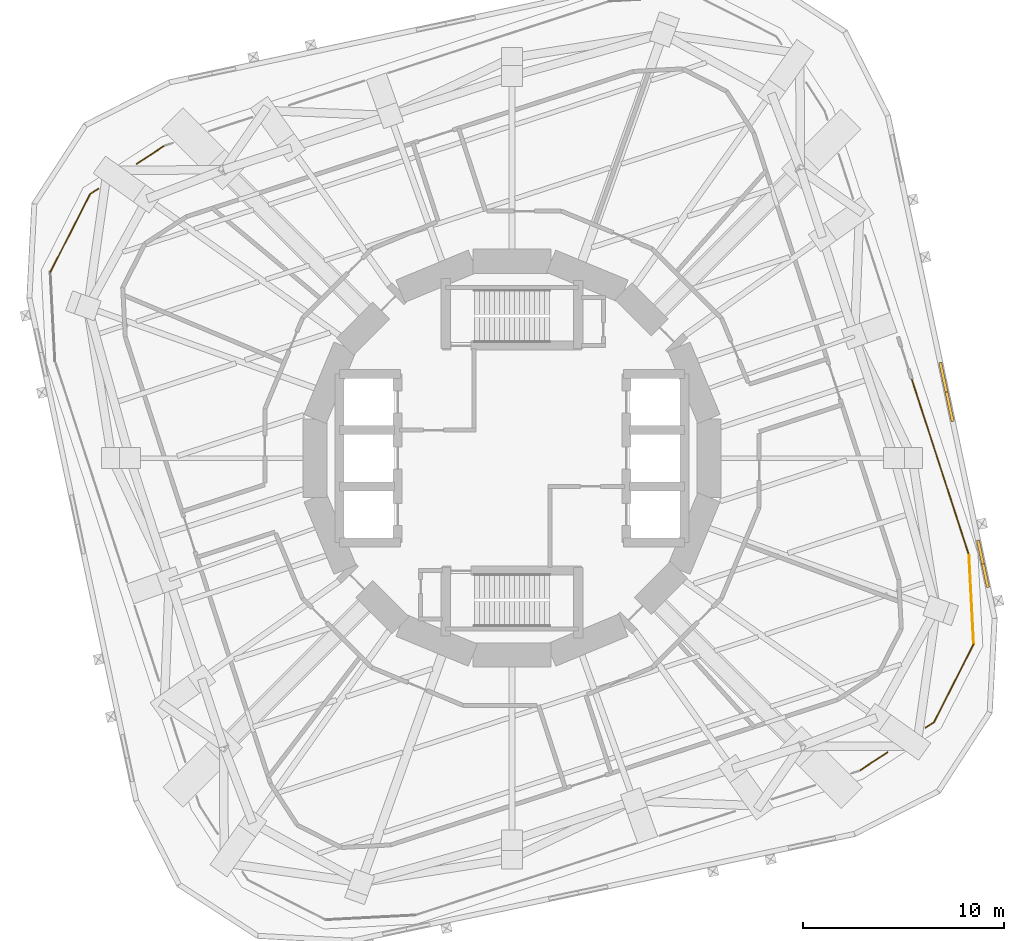
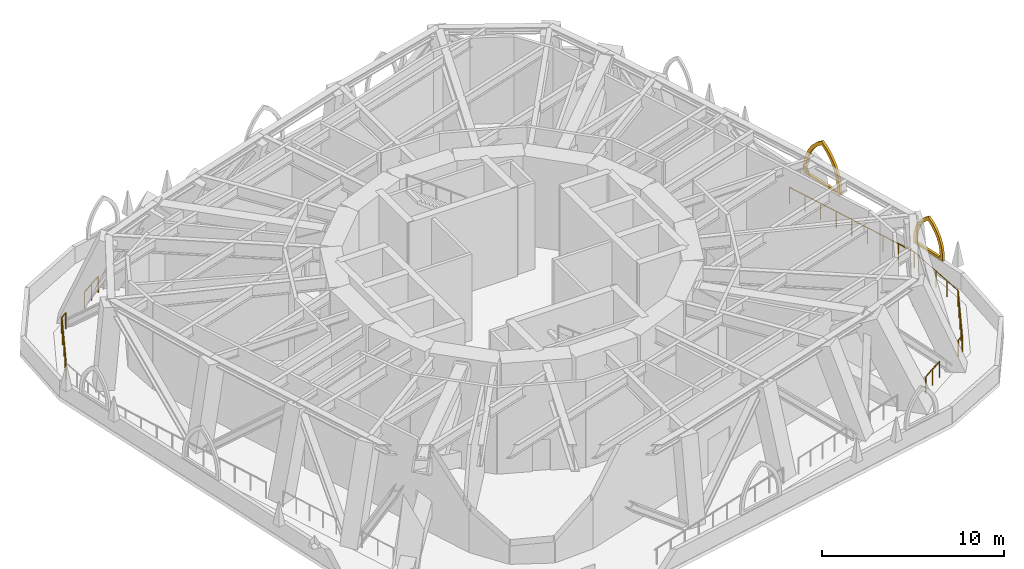
# One storey, part 9 of 11: 8 railings, 2 shading devices.
"""IFC4 building model written with IfcOpenShell, lengths in metres."""

from ifc_helpers import new_model, si_unit, direction, frame, origin, origin_2d, place, context, subcontext, project, spatial, polyline, circle, outline, extrude, material, type_object, element, save


model = new_model("IFC4")

# Units and contexts
model_context = context("Model", 3, precision=1e-05, world=origin(), true_north=direction((0.0, 1.0)))
body_context = subcontext(model_context, "Body", "Model", "MODEL_VIEW")
ifc_project = project(units=[si_unit("LENGTHUNIT", "METRE"), si_unit("AREAUNIT", "SQUARE_METRE"), si_unit("VOLUMEUNIT", "CUBIC_METRE"), si_unit("PLANEANGLEUNIT", "RADIAN"), si_unit("MASSUNIT", "GRAM", prefix="KILO")], contexts=[model_context])

# Site, building, storey
site_placement = place(None, origin())
site = spatial("IfcSite", under=ifc_project, at=site_placement, CompositionType="ELEMENT")
building_placement = place(site_placement, origin())
building = spatial("IfcBuilding", under=site, at=building_placement, Name="Nakasero Lantern House", CompositionType="ELEMENT")
storey_placement = place(building_placement, frame((0.0, 0.0, 135.800048828125)))
storey = spatial("IfcBuildingStorey", under=building, at=storey_placement, Name="L33", CompositionType="ELEMENT", Elevation=135.800048828125)

# Shading devices
ifc_material_1 = material(Name="Aluminium 6063-T6", Category="aluminium")
shading_device_type_1 = type_object("IfcShadingDeviceType", Name="Lancet screen 2400", PredefinedType="USERDEFINED", material=ifc_material_1)
shading_device_1_placement = place(storey_placement, frame((23.45654296875, -5.26220703125, 1.099853515625), z_axis=(0.0, 0.0, 1.0), x_axis=(-0.207911691, 0.978147601, 0.0)))
element("IfcShadingDevice", 1, at=shading_device_1_placement, inside=storey, type_object=shading_device_type_1, Name="Tracery screen L33 0-00", ObjectType="LANCET SCREEN", PredefinedType="USERDEFINED", context=body_context, shape_type="SweptSolid", body=[
    extrude(outline(polyline([(-1.199951171875, 0.0), (1.199951171875, 0.0), (1.199951171875, 0.300048828125), (1.16357421875, 0.716796875), (1.05517578125, 1.120849609375), (0.87841796875, 1.5), (0.638427734375, 1.8427734375), (0.3427734375, 2.138427734375), (0.0, 2.37841796875), (-0.3427734375, 2.138427734375), (-0.638427734375, 1.8427734375), (-0.87841796875, 1.5), (-1.05517578125, 1.120849609375), (-1.16357421875, 0.716796875), (-1.199951171875, 0.300048828125), (-1.199951171875, 0.0)]), holes=[polyline([(-0.97998046875, 0.14990234375), (0.97998046875, 0.14990234375), (0.97998046875, 0.300048828125), (0.950439453125, 0.6572265625), (0.86279296875, 1.0048828125), (0.719482421875, 1.33349609375), (0.524169921875, 1.63427734375), (0.281982421875, 1.898681640625), (0.0, 2.1201171875), (-0.281982421875, 1.898681640625), (-0.524169921875, 1.63427734375), (-0.719482421875, 1.33349609375), (-0.86279296875, 1.0048828125), (-0.950439453125, 0.6572265625), (-0.97998046875, 0.300048828125), (-0.97998046875, 0.14990234375)])]), frame((0.0, 0.074951171875, 0.0), z_axis=(0.0, -1.0, 0.0), x_axis=(1.0, 0.0, 0.0)), (0.0, 0.0, 1.0), 0.14990234375),
])
ifc_material_2 = material(Name="Aluminium 6063-T6", Category="aluminium")
shading_device_type_2 = type_object("IfcShadingDeviceType", Name="Lancet screen 3000", PredefinedType="USERDEFINED", material=ifc_material_2)
shading_device_2_placement = place(storey_placement, frame((21.63720703125, 3.2978515625, 1.099853515625), z_axis=(0.0, 0.0, 1.0), x_axis=(-0.207911691, 0.978147601, 0.0)))
element("IfcShadingDevice", 2, at=shading_device_2_placement, inside=storey, type_object=shading_device_type_2, Name="Tracery screen L33 0-01", ObjectType="LANCET SCREEN", PredefinedType="USERDEFINED", context=body_context, shape_type="SweptSolid", body=[
    extrude(outline(polyline([(-1.5, 0.0), (1.5, 0.0), (1.5, 0.300048828125), (1.454345703125, 0.821044921875), (1.319091796875, 1.326171875), (1.09814453125, 1.800048828125), (0.798095703125, 2.228271484375), (0.428466796875, 2.59814453125), (0.0, 2.898193359375), (-0.428466796875, 2.59814453125), (-0.798095703125, 2.228271484375), (-1.09814453125, 1.800048828125), (-1.319091796875, 1.326171875), (-1.454345703125, 0.821044921875), (-1.5, 0.300048828125), (-1.5, 0.0)]), holes=[polyline([(-1.280029296875, 0.14990234375), (1.280029296875, 0.14990234375), (1.280029296875, 0.300048828125), (1.241455078125, 0.761474609375), (1.126708984375, 1.21044921875), (0.939208984375, 1.6337890625), (0.683837890625, 2.020263671875), (0.367919921875, 2.359130859375), (0.0, 2.640625), (-0.367919921875, 2.359130859375), (-0.683837890625, 2.020263671875), (-0.939208984375, 1.6337890625), (-1.126708984375, 1.21044921875), (-1.241455078125, 0.761474609375), (-1.280029296875, 0.300048828125), (-1.280029296875, 0.14990234375)])]), frame((0.0, 0.074951171875, 0.0), z_axis=(0.0, -1.0, 0.0), x_axis=(1.0, 0.0, 0.0)), (0.0, 0.0, 1.0), 0.14990234375),
])

# Railings
ifc_material_3 = material(Name="Aluminium 6063-T6", Category="aluminium")
railing_type = type_object("IfcRailingType", Name="Sky garden guard 1100", PredefinedType="GUARDRAIL", material=ifc_material_3)
railing_1_placement = place(storey_placement, frame((-22.99267578125, 9.265380859375, 0.0)))
element("IfcRailing", 3, at=railing_1_placement, inside=storey, type_object=railing_type, Name="Refuge area guard L33 1", PredefinedType="GUARDRAIL", context=body_context, shape_type="SweptSolid", body=[
    extrude(circle(Radius=0.02392578125, at=origin_2d()), frame((0.0, 0.0, 1.076171875), z_axis=(0.453978557645, 0.891012608889, 0.0), x_axis=(-0.891012608889, 0.453978557645, 0.0)), (0.0, 0.0, 1.0), 4.36572265625),
    extrude(circle(Radius=0.02099609375, at=origin_2d()), origin(), (0.0, 0.0, 1.0), 1.052001953125),
    extrude(circle(Radius=0.02099609375, at=origin_2d()), frame((0.49560546875, 0.972412109375, 0.0)), (0.0, 0.0, 1.0), 1.052001953125),
    extrude(circle(Radius=0.02099609375, at=origin_2d()), frame((0.990966796875, 1.94482421875, 0.0)), (0.0, 0.0, 1.0), 1.052001953125),
    extrude(circle(Radius=0.02099609375, at=origin_2d()), frame((1.486328125, 2.91748046875, 0.0)), (0.0, 0.0, 1.0), 1.052001953125),
    extrude(circle(Radius=0.02099609375, at=origin_2d()), frame((1.98193359375, 3.889892578125, 0.0)), (0.0, 0.0, 1.0), 1.052001953125),
])
railing_2_placement = place(storey_placement, frame((-21.0107421875, 13.1552734375, 0.0)))
element("IfcRailing", 4, at=railing_2_placement, inside=storey, type_object=railing_type, Name="Refuge area guard L33 3", PredefinedType="GUARDRAIL", context=body_context, shape_type="SweptSolid", body=[
    extrude(circle(Radius=0.02392578125, at=origin_2d()), frame((0.0, 0.0, 1.076171875), z_axis=(0.83861515616, 0.54472435218, 0.0), x_axis=(-0.54472435218, 0.83861515616, 0.0)), (0.0, 0.0, 1.0), 0.487548828125),
    extrude(circle(Radius=0.02099609375, at=origin_2d()), origin(), (0.0, 0.0, 1.0), 1.052001953125),
    extrude(circle(Radius=0.02099609375, at=origin_2d()), frame((0.408935546875, 0.265625, 0.0)), (0.0, 0.0, 1.0), 1.052001953125),
])
railing_3_placement = place(storey_placement, frame((-18.704345703125, 14.653076171875, 0.0)))
element("IfcRailing", 5, at=railing_3_placement, inside=storey, type_object=railing_type, Name="Refuge area guard L33 5", PredefinedType="GUARDRAIL", context=body_context, shape_type="SweptSolid", body=[
    extrude(circle(Radius=0.02392578125, at=origin_2d()), frame((0.0, 0.0, 1.076171875), z_axis=(0.838663025436, 0.544650649285, 0.0), x_axis=(-0.544650649285, 0.838663025436, 0.0)), (0.0, 0.0, 1.0), 1.67724609375),
    extrude(circle(Radius=0.02099609375, at=origin_2d()), origin(), (0.0, 0.0, 1.0), 1.052001953125),
    extrude(circle(Radius=0.02099609375, at=origin_2d()), frame((0.703369140625, 0.456787109375, 0.0)), (0.0, 0.0, 1.0), 1.052001953125),
    extrude(circle(Radius=0.02099609375, at=origin_2d()), frame((1.40673828125, 0.91357421875, 0.0)), (0.0, 0.0, 1.0), 1.052001953125),
])
railing_4_placement = place(storey_placement, frame((18.704345703125, -14.653076171875, 0.0)))
element("IfcRailing", 6, at=railing_4_placement, inside=storey, type_object=railing_type, Name="Refuge area guard L33 28", PredefinedType="GUARDRAIL", context=body_context, shape_type="SweptSolid", body=[
    extrude(circle(Radius=0.02392578125, at=origin_2d()), frame((0.0, 0.0, 1.076171875), z_axis=(-0.838663025436, -0.544650649285, 0.0), x_axis=(0.544650649285, -0.838663025436, 0.0)), (0.0, 0.0, 1.0), 1.67724609375),
    extrude(circle(Radius=0.02099609375, at=origin_2d()), origin(), (0.0, 0.0, 1.0), 1.052001953125),
    extrude(circle(Radius=0.02099609375, at=origin_2d()), frame((-0.703369140625, -0.456787109375, 0.0)), (0.0, 0.0, 1.0), 1.052001953125),
    extrude(circle(Radius=0.02099609375, at=origin_2d()), frame((-1.40673828125, -0.91357421875, 0.0)), (0.0, 0.0, 1.0), 1.052001953125),
])
railing_5_placement = place(storey_placement, frame((19.905517578125, 3.944091796875, 0.0)))
element("IfcRailing", 7, at=railing_5_placement, inside=storey, type_object=railing_type, Name="Refuge area guard L33 30", PredefinedType="GUARDRAIL", context=body_context, shape_type="SweptSolid", body=[
    extrude(circle(Radius=0.02392578125, at=origin_2d()), frame((0.0, 0.0, 1.076171875), z_axis=(0.309013784807, -0.951057559141, 0.0), x_axis=(0.951057559141, 0.309013784807, 0.0)), (0.0, 0.0, 1.0), 9.240478515625),
    extrude(circle(Radius=0.02099609375, at=origin_2d()), origin(), (0.0, 0.0, 1.0), 1.052001953125),
    extrude(circle(Radius=0.02099609375, at=origin_2d()), frame((0.35693359375, -1.0986328125, 0.0)), (0.0, 0.0, 1.0), 1.052001953125),
    extrude(circle(Radius=0.02099609375, at=origin_2d()), frame((0.7138671875, -2.197021484375, 0.0)), (0.0, 0.0, 1.0), 1.052001953125),
    extrude(circle(Radius=0.02099609375, at=origin_2d()), frame((1.07080078125, -3.295654296875, 0.0)), (0.0, 0.0, 1.0), 1.052001953125),
    extrude(circle(Radius=0.02099609375, at=origin_2d()), frame((1.427734375, -4.39404296875, 0.0)), (0.0, 0.0, 1.0), 1.052001953125),
    extrude(circle(Radius=0.02099609375, at=origin_2d()), frame((1.78466796875, -5.49267578125, 0.0)), (0.0, 0.0, 1.0), 1.052001953125),
    extrude(circle(Radius=0.02099609375, at=origin_2d()), frame((2.1416015625, -6.59130859375, 0.0)), (0.0, 0.0, 1.0), 1.052001953125),
    extrude(circle(Radius=0.02099609375, at=origin_2d()), frame((2.49853515625, -7.689697265625, 0.0)), (0.0, 0.0, 1.0), 1.052001953125),
    extrude(circle(Radius=0.02099609375, at=origin_2d()), frame((2.85546875, -8.788330078125, 0.0)), (0.0, 0.0, 1.0), 1.052001953125),
])
railing_6_placement = place(storey_placement, frame((21.0107421875, -13.1552734375, 0.0)))
element("IfcRailing", 8, at=railing_6_placement, inside=storey, type_object=railing_type, Name="Refuge area guard L33 31", PredefinedType="GUARDRAIL", context=body_context, shape_type="SweptSolid", body=[
    extrude(circle(Radius=0.02392578125, at=origin_2d()), frame((0.0, 0.0, 1.076171875), z_axis=(-0.83861515616, -0.54472435218, 0.0), x_axis=(0.54472435218, -0.83861515616, 0.0)), (0.0, 0.0, 1.0), 0.487548828125),
    extrude(circle(Radius=0.02099609375, at=origin_2d()), origin(), (0.0, 0.0, 1.0), 1.052001953125),
    extrude(circle(Radius=0.02099609375, at=origin_2d()), frame((-0.408935546875, -0.265625, 0.0)), (0.0, 0.0, 1.0), 1.052001953125),
])
railing_7_placement = place(storey_placement, frame((22.760986328125, -4.84423828125, 0.0)))
element("IfcRailing", 9, at=railing_7_placement, inside=storey, type_object=railing_type, Name="Refuge area guard L33 32", PredefinedType="GUARDRAIL", context=body_context, shape_type="SweptSolid", body=[
    extrude(circle(Radius=0.02392578125, at=origin_2d()), frame((0.0, 0.0, 1.076171875), z_axis=(0.052333070407, -0.998629685991, 0.0), x_axis=(0.998629685991, 0.052333070407, 0.0)), (0.0, 0.0, 1.0), 4.42724609375),
    extrude(circle(Radius=0.02099609375, at=origin_2d()), origin(), (0.0, 0.0, 1.0), 1.052001953125),
    extrude(circle(Radius=0.02099609375, at=origin_2d()), frame((0.057861328125, -1.105224609375, 0.0)), (0.0, 0.0, 1.0), 1.052001953125),
    extrude(circle(Radius=0.02099609375, at=origin_2d()), frame((0.11572265625, -2.21044921875, 0.0)), (0.0, 0.0, 1.0), 1.052001953125),
    extrude(circle(Radius=0.02099609375, at=origin_2d()), frame((0.173828125, -3.31591796875, 0.0)), (0.0, 0.0, 1.0), 1.052001953125),
    extrude(circle(Radius=0.02099609375, at=origin_2d()), frame((0.231689453125, -4.421142578125, 0.0)), (0.0, 0.0, 1.0), 1.052001953125),
])
railing_8_placement = place(storey_placement, frame((22.99267578125, -9.265380859375, 0.0)))
element("IfcRailing", 10, at=railing_8_placement, inside=storey, type_object=railing_type, Name="Refuge area guard L33 33", PredefinedType="GUARDRAIL", context=body_context, shape_type="SweptSolid", body=[
    extrude(circle(Radius=0.02392578125, at=origin_2d()), frame((0.0, 0.0, 1.076171875), z_axis=(-0.453978557645, -0.891012608889, 0.0), x_axis=(0.891012608889, -0.453978557645, 0.0)), (0.0, 0.0, 1.0), 4.36572265625),
    extrude(circle(Radius=0.02099609375, at=origin_2d()), origin(), (0.0, 0.0, 1.0), 1.052001953125),
    extrude(circle(Radius=0.02099609375, at=origin_2d()), frame((-0.49560546875, -0.972412109375, 0.0)), (0.0, 0.0, 1.0), 1.052001953125),
    extrude(circle(Radius=0.02099609375, at=origin_2d()), frame((-0.990966796875, -1.94482421875, 0.0)), (0.0, 0.0, 1.0), 1.052001953125),
    extrude(circle(Radius=0.02099609375, at=origin_2d()), frame((-1.486328125, -2.91748046875, 0.0)), (0.0, 0.0, 1.0), 1.052001953125),
    extrude(circle(Radius=0.02099609375, at=origin_2d()), frame((-1.98193359375, -3.889892578125, 0.0)), (0.0, 0.0, 1.0), 1.052001953125),
])

save(model, "model.ifc")
